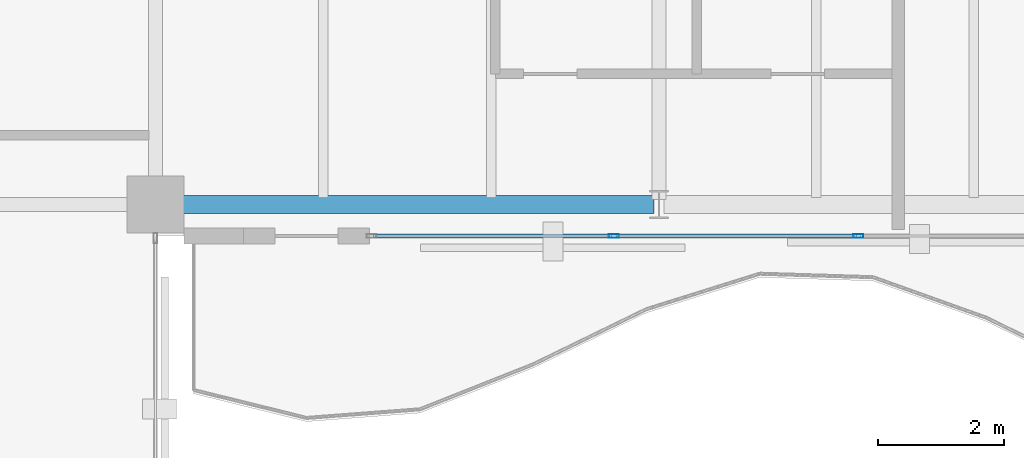
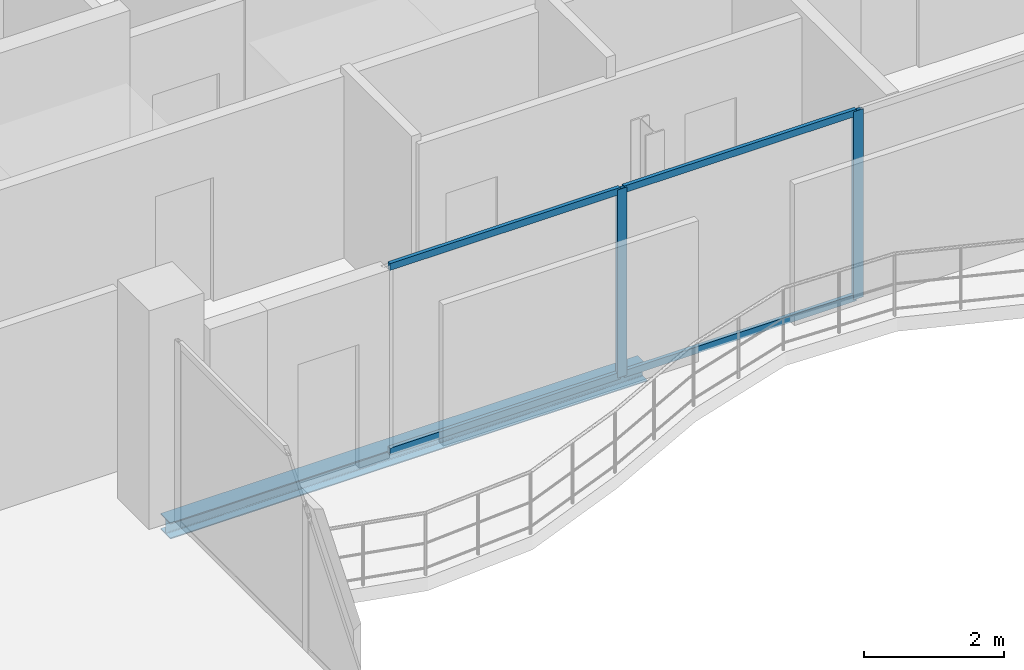
# One storey, part 9 of 23: 6 members, 1 beam, 1 element without a shape of its own.
"""IFC4 building model written with IfcOpenShell, lengths in metres."""

from ifc_helpers import new_model, si_unit, direction, frame, origin, origin_2d, place, context, subcontext, project, spatial, hollow_rectangle, i_section, extrude, material, layer, layer_set, material_profile, profile_set, type_object, element, aggregate, save


model = new_model("IFC4")

# Units and contexts
model_context = context("Model", 3, precision=1e-05, world=origin(), true_north=direction((0.0, 1.0)))
body_context = subcontext(model_context, "Body", "Model", "MODEL_VIEW")
ifc_project = project(units=[si_unit("LENGTHUNIT", "METRE"), si_unit("AREAUNIT", "SQUARE_METRE"), si_unit("VOLUMEUNIT", "CUBIC_METRE"), si_unit("PLANEANGLEUNIT", "RADIAN"), si_unit("MASSUNIT", "GRAM", prefix="KILO")], contexts=[model_context])

# Site, building, storey
site_placement = place(None, origin())
site = spatial("IfcSite", under=ifc_project, at=site_placement, CompositionType="ELEMENT")
building_placement = place(site_placement, origin())
building = spatial("IfcBuilding", under=site, at=building_placement, Name="Catumbela Crestline Tower", CompositionType="ELEMENT")
storey_placement = place(building_placement, frame((0.0, 0.0, 241.2)))
storey = spatial("IfcBuildingStorey", under=building, at=storey_placement, Name="L62", CompositionType="ELEMENT", Elevation=241.2)

# Curtain wall, members
ifc_material_1 = material(Name="Aluminium alloy AW-6060-T66", Category="aluminium")
ifc_layer = layer(ifc_material_1, 0.18, Name="Aluminium alloy AW-6060-T66")
ifc_layer_set = layer_set([ifc_layer], Name="Aluminium alloy AW-6060-T66")
curtain_wall_type = type_object("IfcCurtainWallType", Name="CWU-Z4", PredefinedType="USERDEFINED", material=ifc_layer_set)
curtain_wall_placement = place(storey_placement, origin())
curtain_wall = element("IfcCurtainWall", 1, at=curtain_wall_placement, inside=storey, type_object=curtain_wall_type, Name="L62 Unitised Curtain Wall CW-L62-E3S2", ObjectType="UNITISED", PredefinedType="USERDEFINED")
ifc_material_profile_1 = material_profile(ifc_material_1, hollow_rectangle(XDim=0.06, YDim=0.16, WallThickness=0.004, at=origin_2d()), Name="ALU 160x60x4")
ifc_profile_set_1 = profile_set([ifc_material_profile_1], Name="Aluminium alloy AW-6060-T66")
member_type_1 = type_object("IfcMemberType", Name="MUL-160X60", PredefinedType="MULLION", material=ifc_profile_set_1)
member_1_placement = place(storey_placement, frame((31.2833, 24.0, 0.0), z_axis=(0.0, 0.0, 1.0), x_axis=(0.0, 1.0, 0.0)))
member_1 = element("IfcMember", 2, at=member_1_placement, type_object=member_type_1, Name="CWU-Z4 mullion 2", PredefinedType="MULLION", context=body_context, shape_type="SweptSolid", body=[
    extrude(hollow_rectangle(XDim=0.06, YDim=0.16, WallThickness=0.004, at=origin_2d()), origin(), (0.0, 0.0, 1.0), 3.27),
])
member_2_placement = place(storey_placement, frame((35.1667, 24.0, 0.0), z_axis=(0.0, 0.0, 1.0), x_axis=(0.0, 1.0, 0.0)))
member_2 = element("IfcMember", 3, at=member_2_placement, type_object=member_type_1, Name="CWU-Z4 mullion 3", PredefinedType="MULLION", context=body_context, shape_type="SweptSolid", body=[
    extrude(hollow_rectangle(XDim=0.06, YDim=0.16, WallThickness=0.004, at=origin_2d()), origin(), (0.0, 0.0, 1.0), 3.27),
])

# Beam
ifc_material_2 = material(Name="Structural steel S355J2", Category="steel")
ifc_material_profile_2 = material_profile(ifc_material_2, i_section(OverallWidth=0.28, OverallDepth=0.28, WebThickness=0.0105, FlangeThickness=0.018, FilletRadius=0.024, at=origin_2d()), Name="HEB 280")
ifc_profile_set_2 = profile_set([ifc_material_profile_2], Name="Structural steel S355J2")
beam_type = type_object("IfcBeamType", Name="BS-HEB280", PredefinedType="SPANDREL", material=ifc_profile_set_2)
beam_placement = place(storey_placement, frame((24.08, 24.5, -0.4), z_axis=(1.0, 0.0, 0.0), x_axis=(0.0, 1.0, 0.0)))
element("IfcBeam", 4, at=beam_placement, inside=storey, type_object=beam_type, Name="L62 Spandrel SP-L62-S04", PredefinedType="SPANDREL", context=body_context, shape_type="SweptSolid", body=[
    extrude(i_section(OverallWidth=0.28, OverallDepth=0.28, WebThickness=0.0105, FlangeThickness=0.018, FilletRadius=0.024, at=origin_2d()), origin(), (0.0, 0.0, 1.0), 7.84),
])

# Member
ifc_material_profile_3 = material_profile(ifc_material_1, hollow_rectangle(XDim=0.06, YDim=0.12, WallThickness=0.0035, at=origin_2d()), Name="ALU 120x60x3.5")
ifc_profile_set_3 = profile_set([ifc_material_profile_3], Name="Aluminium alloy AW-6060-T66")
member_type_2 = type_object("IfcMemberType", Name="TRN-120X60", PredefinedType="USERDEFINED", material=ifc_profile_set_3)
member_3_placement = place(storey_placement, frame((27.465, 24.0, 0.03), z_axis=(1.0, 0.0, 0.0), x_axis=(0.0, 1.0, 0.0)))
member_3 = element("IfcMember", 5, at=member_3_placement, type_object=member_type_2, Name="CWU-Z4 transom 1.1", ObjectType="TRANSOM", PredefinedType="USERDEFINED", context=body_context, shape_type="SweptSolid", body=[
    extrude(hollow_rectangle(XDim=0.06, YDim=0.12, WallThickness=0.0035, at=origin_2d()), origin(), (0.0, 0.0, 1.0), 3.7858),
])

member_4_placement = place(storey_placement, frame((27.465, 24.0, 3.24), z_axis=(1.0, 0.0, 0.0), x_axis=(0.0, 1.0, 0.0)))
member_4 = element("IfcMember", 6, at=member_4_placement, type_object=member_type_2, Name="CWU-Z4 transom 1.2", ObjectType="TRANSOM", PredefinedType="USERDEFINED", context=body_context, shape_type="SweptSolid", body=[
    extrude(hollow_rectangle(XDim=0.06, YDim=0.12, WallThickness=0.0035, at=origin_2d()), origin(), (0.0, 0.0, 1.0), 3.7858),
])

member_5_placement = place(storey_placement, frame((31.3158, 24.0, 0.03), z_axis=(1.0, 0.0, 0.0), x_axis=(0.0, 1.0, 0.0)))
member_5 = element("IfcMember", 7, at=member_5_placement, type_object=member_type_2, Name="CWU-Z4 transom 2.1", ObjectType="TRANSOM", PredefinedType="USERDEFINED", context=body_context, shape_type="SweptSolid", body=[
    extrude(hollow_rectangle(XDim=0.06, YDim=0.12, WallThickness=0.0035, at=origin_2d()), origin(), (0.0, 0.0, 1.0), 3.8184),
])

member_6_placement = place(storey_placement, frame((31.3158, 24.0, 3.24), z_axis=(1.0, 0.0, 0.0), x_axis=(0.0, 1.0, 0.0)))
member_6 = element("IfcMember", 8, at=member_6_placement, type_object=member_type_2, Name="CWU-Z4 transom 2.2", ObjectType="TRANSOM", PredefinedType="USERDEFINED", context=body_context, shape_type="SweptSolid", body=[
    extrude(hollow_rectangle(XDim=0.06, YDim=0.12, WallThickness=0.0035, at=origin_2d()), origin(), (0.0, 0.0, 1.0), 3.8184),
])

aggregate(curtain_wall, [member_1, member_2, member_3, member_4, member_5, member_6])

save(model, "model.ifc")
